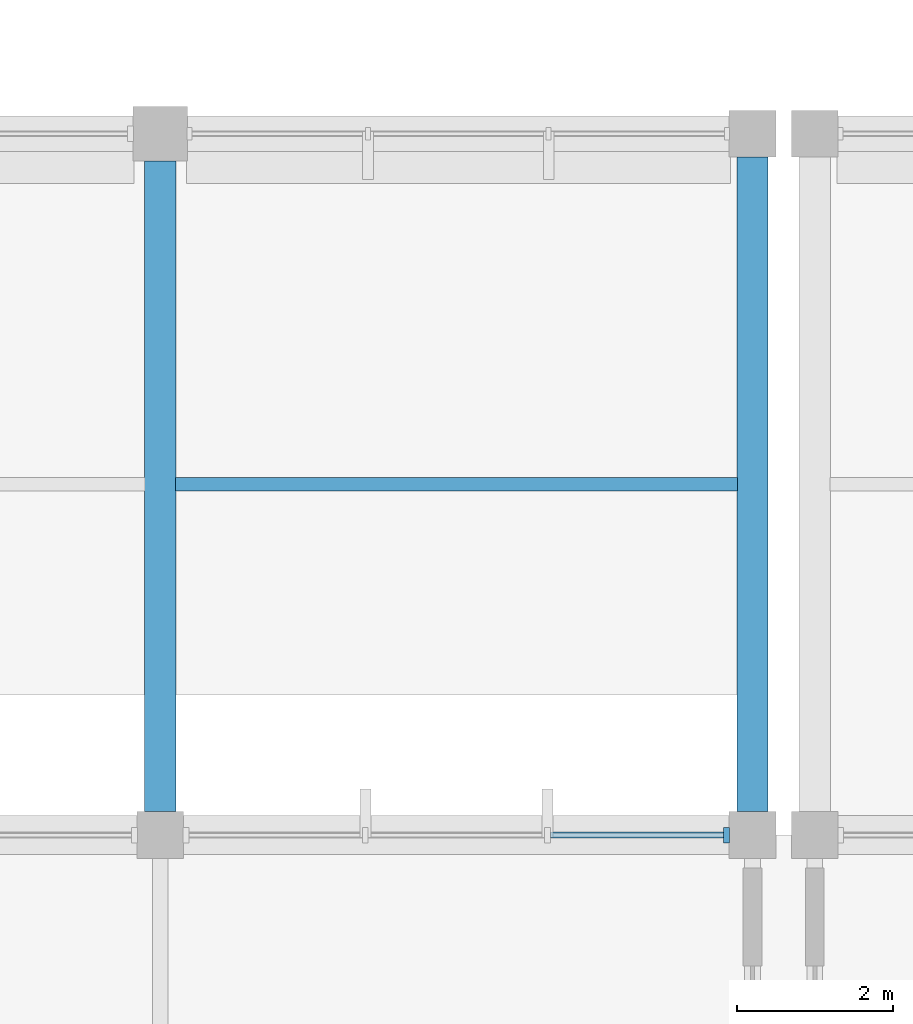
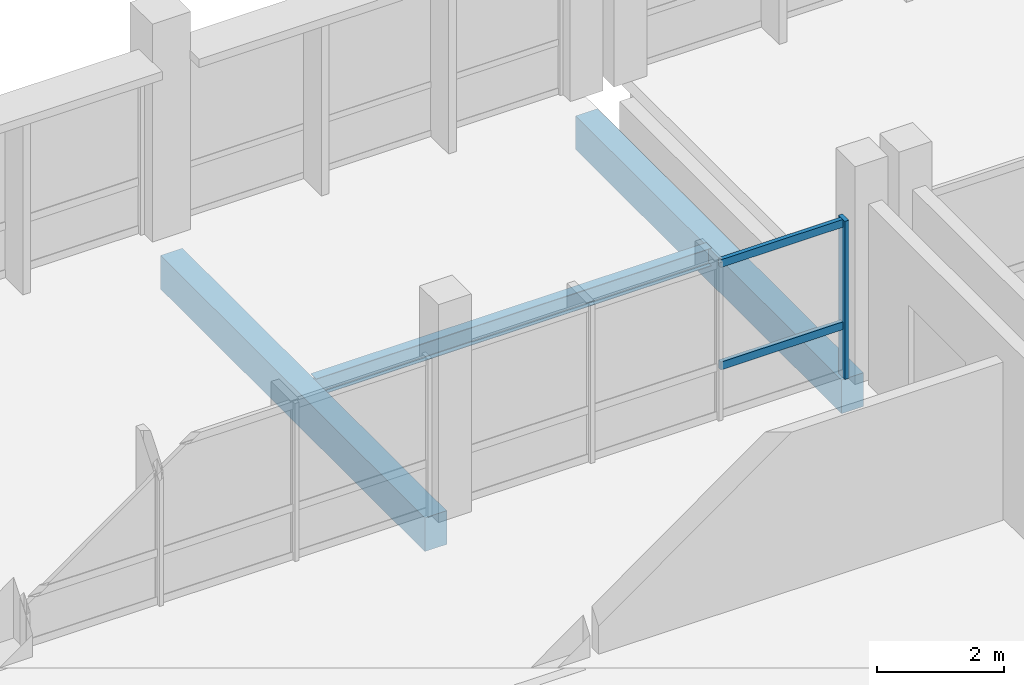
# One storey, part 13 of 70: 3 beams, 3 members, 1 element without a shape of its own.
"""IFC4 building model written with IfcOpenShell, lengths in metres."""

from ifc_helpers import new_model, si_unit, direction, frame, origin, origin_2d, place, context, subcontext, project, spatial, rectangle, i_section, extrude, material, material_profile, profile_set, type_object, element, aggregate, save


model = new_model("IFC4")

# Units and contexts
model_context = context("Model", 3, precision=1e-05, world=origin(), true_north=direction((0.0, 1.0)))
body_context = subcontext(model_context, "Body", "Model", "MODEL_VIEW")
ifc_project = project(units=[si_unit("LENGTHUNIT", "METRE"), si_unit("AREAUNIT", "SQUARE_METRE"), si_unit("VOLUMEUNIT", "CUBIC_METRE"), si_unit("PLANEANGLEUNIT", "RADIAN"), si_unit("MASSUNIT", "GRAM", prefix="KILO"), si_unit("THERMODYNAMICTEMPERATUREUNIT", "KELVIN"), si_unit("POWERUNIT", "WATT")], contexts=[model_context])

# Site, building, storey
site_placement = place(None, origin())
site = spatial("IfcSite", under=ifc_project, at=site_placement, CompositionType="ELEMENT")
building_placement = place(site_placement, origin())
building = spatial("IfcBuilding", under=site, at=building_placement, Name="Kronsvod Quay Wholesale Market", CompositionType="ELEMENT")
storey_placement = place(building_placement, frame((0.0, 0.0, 9.0)))
storey = spatial("IfcBuildingStorey", under=building, at=storey_placement, Name="L02", CompositionType="ELEMENT", Elevation=9.0)

# Beams
ifc_material_1 = material(Name="Precast concrete C40/50", Category="concrete")
ifc_material_profile_1 = material_profile(ifc_material_1, rectangle(XDim=0.39990234375, YDim=0.64990234375, at=origin_2d()), Name="PCB400x650")
ifc_profile_set_1 = profile_set([ifc_material_profile_1], Name="Precast concrete C40/50")
beam_type_1 = type_object("IfcBeamType", Name="Beam_PCB400x650", PredefinedType="BEAM", material=ifc_profile_set_1)
beam_1_placement = place(storey_placement, frame((120.0, 45.300048828125, -0.635009765625), z_axis=(0.0, 1.0, 0.0), x_axis=(-1.0, 0.0, 0.0)))
element("IfcBeam", 1, at=beam_1_placement, inside=storey, type_object=beam_type_1, Name="BMY-L02-1200-450", PredefinedType="BEAM", context=body_context, shape_type="SweptSolid", body=[
    extrude(rectangle(XDim=0.39990234375, YDim=0.64990234375, at=origin_2d()), origin(), (0.0, 0.0, 1.0), 8.349853515625),
])
beam_2_placement = place(storey_placement, frame((127.60009765625, 45.300048828125, -0.635009765625), z_axis=(0.0, 1.0, 0.0), x_axis=(-1.0, 0.0, 0.0)))
element("IfcBeam", 2, at=beam_2_placement, inside=storey, type_object=beam_type_1, Name="BMY-L02-1276-450", PredefinedType="BEAM", context=body_context, shape_type="SweptSolid", body=[
    extrude(rectangle(XDim=0.39990234375, YDim=0.64990234375, at=origin_2d()), origin(), (0.0, 0.0, 1.0), 8.39990234375),
])
ifc_material_2 = material(Name="Steel S355", Category="steel")
ifc_material_profile_2 = material_profile(ifc_material_2, i_section(OverallWidth=0.174072265625, OverallDepth=0.345947265625, WebThickness=0.006103515625, FlangeThickness=0.009033203125, FilletRadius=0.013916015625, at=origin_2d()), Name="35B1")
ifc_profile_set_2 = profile_set([ifc_material_profile_2], Name="Steel S355")
beam_type_2 = type_object("IfcBeamType", Name="Joist_Steel35B1", PredefinedType="JOIST", material=ifc_profile_set_2)
beam_3_placement = place(storey_placement, frame((120.195068359375, 49.5, -0.43310546875), z_axis=(1.0, 0.0, 0.0), x_axis=(0.0, 1.0, 0.0)))
element("IfcBeam", 3, at=beam_3_placement, inside=storey, type_object=beam_type_2, Name="JSTX-L02-1200-450", PredefinedType="JOIST", context=body_context, shape_type="SweptSolid", body=[
    extrude(i_section(OverallWidth=0.174072265625, OverallDepth=0.345947265625, WebThickness=0.006103515625, FlangeThickness=0.009033203125, FilletRadius=0.013916015625, at=origin_2d()), origin(), (0.0, 0.0, 1.0), 7.2099609375),
])

# Curtain wall, members
ifc_material_3 = material(Name="Thermally broken aluminium and triple low-E glazing", Category="aluminium")
curtain_wall_type = type_object("IfcCurtainWallType", Name="CW_Harbour76x33", PredefinedType="NOTDEFINED", material=ifc_material_3)
curtain_wall_placement = place(storey_placement, origin())
curtain_wall = element("IfcCurtainWall", 4, at=curtain_wall_placement, inside=storey, type_object=curtain_wall_type, Name="CWGX-L02-1200-450", PredefinedType="NOTDEFINED")
ifc_material_4 = material(Name="Anodised aluminium", Category="aluminium")
ifc_material_profile_3 = material_profile(ifc_material_4, rectangle(XDim=0.074951171875, YDim=0.199951171875, at=origin_2d()), Name="ALUM75x200")
ifc_profile_set_3 = profile_set([ifc_material_profile_3], Name="Anodised aluminium")
member_type_1 = type_object("IfcMemberType", Name="Mullion_ALU75x200", PredefinedType="MULLION", material=ifc_profile_set_3)
member_1_placement = place(storey_placement, frame((127.267578125, 45.0, 0.0), z_axis=(0.0, 0.0, 1.0), x_axis=(1.0, 0.0, 0.0)))
member_1 = element("IfcMember", 5, at=member_1_placement, type_object=member_type_1, Name="CWGX-L02-1200-450-M1", PredefinedType="MULLION", context=body_context, shape_type="SweptSolid", body=[
    extrude(rectangle(XDim=0.074951171875, YDim=0.199951171875, at=origin_2d()), origin(), (0.0, 0.0, 1.0), 3.050048828125),
])
ifc_material_5 = material(Name="Anodised aluminium", Category="aluminium")
ifc_material_profile_4 = material_profile(ifc_material_5, rectangle(XDim=0.074951171875, YDim=0.14990234375, at=origin_2d()), Name="ALUT75x150")
ifc_profile_set_4 = profile_set([ifc_material_profile_4], Name="Anodised aluminium")
member_type_2 = type_object("IfcMemberType", Name="Transom_ALU75x150", PredefinedType="USERDEFINED", material=ifc_profile_set_4)
member_2_placement = place(storey_placement, frame((127.22998046875, 45.0, 1.0), z_axis=(-1.0, 0.0, 0.0), x_axis=(0.0, -1.0, 0.0)))
member_2 = element("IfcMember", 6, at=member_2_placement, type_object=member_type_2, Name="CWGX-L02-1200-450-T2B1", ObjectType="TRANSOM", PredefinedType="USERDEFINED", context=body_context, shape_type="SweptSolid", body=[
    extrude(rectangle(XDim=0.074951171875, YDim=0.14990234375, at=origin_2d()), origin(), (0.0, 0.0, 1.0), 2.22412109375),
])
member_3_placement = place(storey_placement, frame((127.22998046875, 45.0, 2.97509765625), z_axis=(-1.0, 0.0, 0.0), x_axis=(0.0, -1.0, 0.0)))
member_3 = element("IfcMember", 7, at=member_3_placement, type_object=member_type_2, Name="CWGX-L02-1200-450-T3B1", ObjectType="TRANSOM", PredefinedType="USERDEFINED", context=body_context, shape_type="SweptSolid", body=[
    extrude(rectangle(XDim=0.074951171875, YDim=0.14990234375, at=origin_2d()), origin(), (0.0, 0.0, 1.0), 2.22412109375),
])
aggregate(curtain_wall, [member_1, member_2, member_3])

save(model, "model.ifc")
